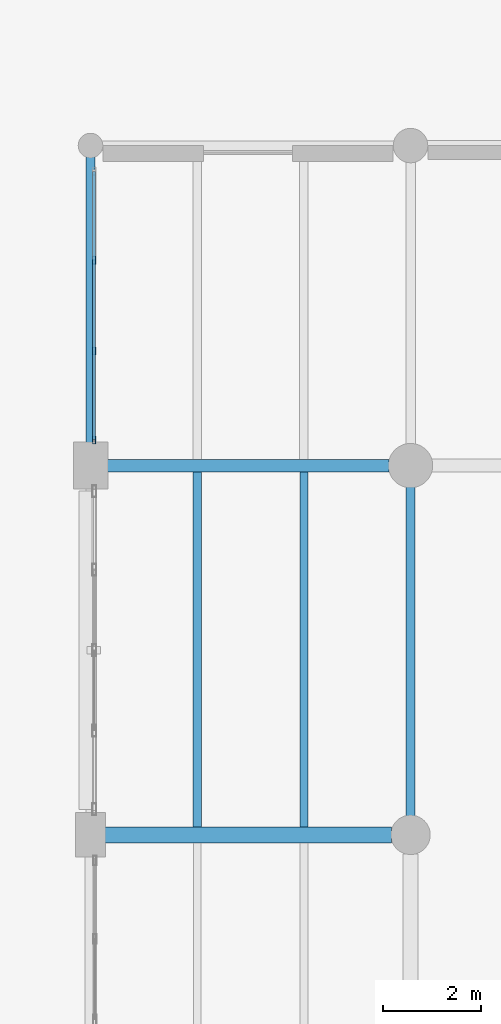
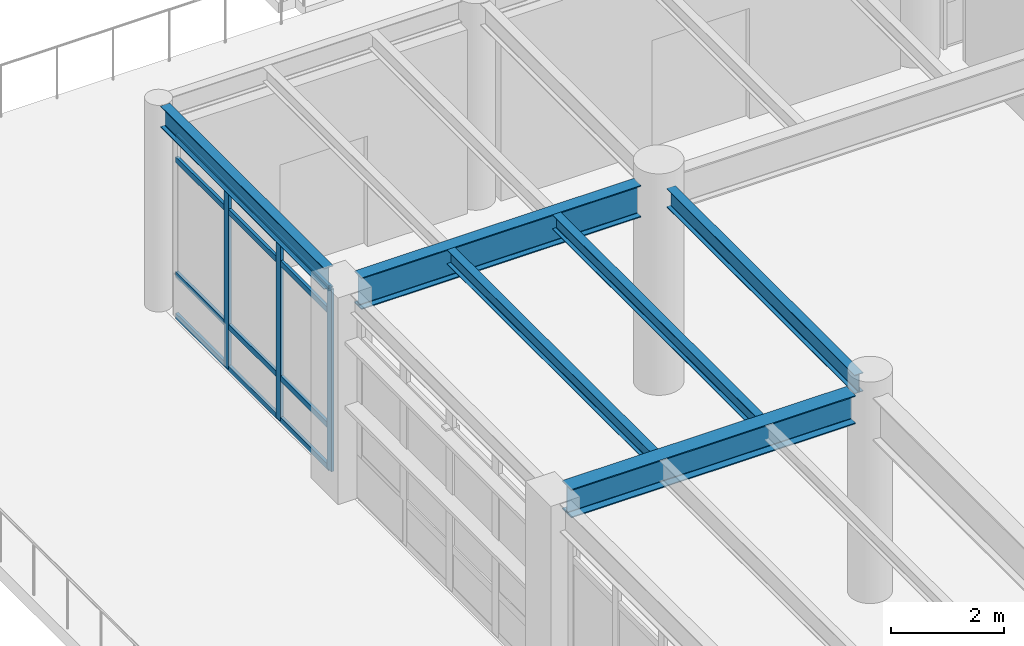
# One storey, part 41 of 200: 7 members, 6 beams, 1 element without a shape of its own.
"""IFC4 building model written with IfcOpenShell, lengths in metres."""

from ifc_helpers import new_model, si_unit, direction, frame, origin, origin_2d, place, context, subcontext, project, spatial, hollow_rectangle, i_section, extrude, material, material_profile, profile_set, type_object, element, aggregate, save


model = new_model("IFC4")

# Units and contexts
model_context = context("Model", 3, precision=1e-05, world=origin(), true_north=direction((0.0, 1.0)))
body_context = subcontext(model_context, "Body", "Model", "MODEL_VIEW")
ifc_project = project(units=[si_unit("LENGTHUNIT", "METRE"), si_unit("AREAUNIT", "SQUARE_METRE"), si_unit("VOLUMEUNIT", "CUBIC_METRE"), si_unit("PLANEANGLEUNIT", "RADIAN"), si_unit("MASSUNIT", "GRAM", prefix="KILO"), si_unit("THERMODYNAMICTEMPERATUREUNIT", "KELVIN"), si_unit("POWERUNIT", "WATT")], contexts=[model_context])

# Site, building, storey
site_placement = place(None, origin())
site = spatial("IfcSite", under=ifc_project, at=site_placement, CompositionType="ELEMENT")
building_placement = place(site_placement, origin())
building = spatial("IfcBuilding", under=site, at=building_placement, Name="Tepalcoro Natatorium and Aquatics Centre", CompositionType="ELEMENT")
storey_placement = place(building_placement, frame((0.0, 0.0, 5.39990234375)))
storey = spatial("IfcBuildingStorey", under=building, at=storey_placement, Name="L01", CompositionType="ELEMENT", Elevation=5.39990234375)

# Beams
ifc_material_1 = material(Name="Steel ASTM A992 Grade 50 (Fy 345 MPa)", Category="steel")
ifc_material_profile_1 = material_profile(ifc_material_1, i_section(OverallWidth=0.177978515625, OverallDepth=0.406005859375, WebThickness=0.008056640625, FlangeThickness=0.012939453125, FilletRadius=0.013916015625, at=origin_2d()), Name="W16X40")
ifc_profile_set_1 = profile_set([ifc_material_profile_1], Name="Steel ASTM A992 Grade 50 (Fy 345 MPa)")
beam_type_1 = type_object("IfcBeamType", Name="BM_W16x40", PredefinedType="BEAM", material=ifc_profile_set_1)
beam_1_placement = place(storey_placement, frame((53.0, 51.885009765625, 4.26220703125), z_axis=(0.0, 1.0, 0.0), x_axis=(-1.0, 0.0, 0.0)))
element("IfcBeam", 1, at=beam_1_placement, inside=storey, type_object=beam_type_1, Name="V1 L01 Grid Girder Y", PredefinedType="BEAM", context=body_context, shape_type="SweptSolid", body=[
    extrude(i_section(OverallWidth=0.177978515625, OverallDepth=0.406005859375, WebThickness=0.008056640625, FlangeThickness=0.012939453125, FilletRadius=0.013916015625, at=origin_2d()), origin(), (0.0, 0.0, 1.0), 6.679931640625),
])
ifc_material_profile_2 = material_profile(ifc_material_1, i_section(OverallWidth=0.324951171875, OverallDepth=0.616943359375, WebThickness=0.013916015625, FlangeThickness=0.02197265625, FilletRadius=0.013916015625, at=origin_2d()), Name="W24X117")
ifc_profile_set_2 = profile_set([ifc_material_profile_2], Name="Steel ASTM A992 Grade 50 (Fy 345 MPa)")
beam_type_2 = type_object("IfcBeamType", Name="BM_W24x117", PredefinedType="BEAM", material=ifc_profile_set_2)
beam_2_placement = place(storey_placement, frame((46.784912109375, 51.5, 4.156494140625), z_axis=(1.0, 0.0, 0.0), x_axis=(0.0, 1.0, 0.0)))
element("IfcBeam", 2, at=beam_2_placement, inside=storey, type_object=beam_type_2, Name="V1 L01 Grid Girder X", PredefinedType="BEAM", context=body_context, shape_type="SweptSolid", body=[
    extrude(i_section(OverallWidth=0.324951171875, OverallDepth=0.616943359375, WebThickness=0.013916015625, FlangeThickness=0.02197265625, FilletRadius=0.013916015625, at=origin_2d()), origin(), (0.0, 0.0, 1.0), 5.830078125),
])
ifc_material_profile_3 = material_profile(ifc_material_1, i_section(OverallWidth=0.25390625, OverallDepth=0.68798828125, WebThickness=0.012939453125, FlangeThickness=0.02099609375, FilletRadius=0.013916015625, at=origin_2d()), Name="W27X102")
ifc_profile_set_3 = profile_set([ifc_material_profile_3], Name="Steel ASTM A992 Grade 50 (Fy 345 MPa)")
beam_type_3 = type_object("IfcBeamType", Name="BM_W27x102", PredefinedType="BEAM", material=ifc_profile_set_3)
beam_3_placement = place(storey_placement, frame((46.8349609375, 59.0, 4.12109375), z_axis=(1.0, 0.0, 0.0), x_axis=(0.0, 1.0, 0.0)))
element("IfcBeam", 3, at=beam_3_placement, inside=storey, type_object=beam_type_3, Name="V1 L01 Grid Girder X", PredefinedType="BEAM", context=body_context, shape_type="SweptSolid", body=[
    extrude(i_section(OverallWidth=0.25390625, OverallDepth=0.68798828125, WebThickness=0.012939453125, FlangeThickness=0.02099609375, FilletRadius=0.013916015625, at=origin_2d()), origin(), (0.0, 0.0, 1.0), 5.72998046875),
])

# Curtain wall, members
ifc_material_2 = material(Name="Bronze-Anodised Extruded Aluminium Alloy EN AW-6063 T6", Category="aluminium")
curtain_wall_type = type_object("IfcCurtainWallType", Name="CW_V3_FOYER", PredefinedType="USERDEFINED", material=ifc_material_2)
curtain_wall_placement = place(storey_placement, origin())
curtain_wall = element("IfcCurtainWall", 4, at=curtain_wall_placement, inside=storey, type_object=curtain_wall_type, Name="V1 L01 W Unitised Curtain Wall Bay 8", ObjectType="UNITISED STOREFRONT", PredefinedType="USERDEFINED")
ifc_material_profile_4 = material_profile(ifc_material_2, hollow_rectangle(XDim=0.06005859375, YDim=0.159912109375, WallThickness=0.00390625, at=origin_2d()), Name="AL60X160X4")
ifc_profile_set_4 = profile_set([ifc_material_profile_4], Name="Bronze-Anodised Extruded Aluminium Alloy EN AW-6063 T6")
member_type_1 = type_object("IfcMemberType", Name="CW_MUL_60x160", PredefinedType="MULLION", material=ifc_profile_set_4)
member_1_placement = place(storey_placement, frame((46.5712890625, 59.52001953125, 0.02001953125), z_axis=(0.0, 0.0, 1.0), x_axis=(1.0, 0.0, 0.0)))
member_1 = element("IfcMember", 5, at=member_1_placement, type_object=member_type_1, Name="CW_V3_FOYER Curtain Wall Mullion", PredefinedType="MULLION", context=body_context, shape_type="SweptSolid", body=[
    extrude(hollow_rectangle(XDim=0.06005859375, YDim=0.159912109375, WallThickness=0.00390625, at=origin_2d()), origin(), (0.0, 0.0, 1.0), 3.9501953125),
])
member_2_placement = place(storey_placement, frame((46.5712890625, 61.32666015625, 0.02001953125), z_axis=(0.0, 0.0, 1.0), x_axis=(1.0, 0.0, 0.0)))
member_2 = element("IfcMember", 6, at=member_2_placement, type_object=member_type_1, Name="CW_V3_FOYER Curtain Wall Mullion", PredefinedType="MULLION", context=body_context, shape_type="SweptSolid", body=[
    extrude(hollow_rectangle(XDim=0.06005859375, YDim=0.159912109375, WallThickness=0.00390625, at=origin_2d()), origin(), (0.0, 0.0, 1.0), 3.9501953125),
])
member_3_placement = place(storey_placement, frame((46.5712890625, 63.17333984375, 0.02001953125), z_axis=(0.0, 0.0, 1.0), x_axis=(1.0, 0.0, 0.0)))
member_3 = element("IfcMember", 7, at=member_3_placement, type_object=member_type_1, Name="CW_V3_FOYER Curtain Wall Mullion", PredefinedType="MULLION", context=body_context, shape_type="SweptSolid", body=[
    extrude(hollow_rectangle(XDim=0.06005859375, YDim=0.159912109375, WallThickness=0.00390625, at=origin_2d()), origin(), (0.0, 0.0, 1.0), 3.9501953125),
])
ifc_material_profile_5 = material_profile(ifc_material_2, hollow_rectangle(XDim=0.06005859375, YDim=0.1201171875, WallThickness=0.00390625, at=origin_2d()), Name="AL60X120X4")
ifc_profile_set_5 = profile_set([ifc_material_profile_5], Name="Bronze-Anodised Extruded Aluminium Alloy EN AW-6063 T6")
member_type_2 = type_object("IfcMemberType", Name="CW_TRN_60x120", PredefinedType="USERDEFINED", material=ifc_profile_set_5)
member_4_placement = place(storey_placement, frame((46.5712890625, 59.530029296875, 0.050048828125), z_axis=(0.0, 1.0, 0.0), x_axis=(-1.0, 0.0, 0.0)))
member_4 = element("IfcMember", 8, at=member_4_placement, type_object=member_type_2, Name="CW_V3_FOYER Curtain Wall Transom", ObjectType="TRANSOM", PredefinedType="USERDEFINED", context=body_context, shape_type="SweptSolid", body=[
    extrude(hollow_rectangle(XDim=0.06005859375, YDim=0.1201171875, WallThickness=0.00390625, at=origin_2d()), origin(), (0.0, 0.0, 1.0), 5.43994140625),
])
member_5_placement = place(storey_placement, frame((46.5712890625, 59.530029296875, 0.9501953125), z_axis=(0.0, 1.0, 0.0), x_axis=(-1.0, 0.0, 0.0)))
member_5 = element("IfcMember", 9, at=member_5_placement, type_object=member_type_2, Name="CW_V3_FOYER Curtain Wall Transom", ObjectType="TRANSOM", PredefinedType="USERDEFINED", context=body_context, shape_type="SweptSolid", body=[
    extrude(hollow_rectangle(XDim=0.06005859375, YDim=0.1201171875, WallThickness=0.00390625, at=origin_2d()), origin(), (0.0, 0.0, 1.0), 5.43994140625),
])
member_6_placement = place(storey_placement, frame((46.5712890625, 59.530029296875, 3.440185546875), z_axis=(0.0, 1.0, 0.0), x_axis=(-1.0, 0.0, 0.0)))
member_6 = element("IfcMember", 10, at=member_6_placement, type_object=member_type_2, Name="CW_V3_FOYER Curtain Wall Transom", ObjectType="TRANSOM", PredefinedType="USERDEFINED", context=body_context, shape_type="SweptSolid", body=[
    extrude(hollow_rectangle(XDim=0.06005859375, YDim=0.1201171875, WallThickness=0.00390625, at=origin_2d()), origin(), (0.0, 0.0, 1.0), 5.43994140625),
])
member_7_placement = place(storey_placement, frame((46.5712890625, 59.530029296875, 3.940185546875), z_axis=(0.0, 1.0, 0.0), x_axis=(-1.0, 0.0, 0.0)))
member_7 = element("IfcMember", 11, at=member_7_placement, type_object=member_type_2, Name="CW_V3_FOYER Curtain Wall Transom", ObjectType="TRANSOM", PredefinedType="USERDEFINED", context=body_context, shape_type="SweptSolid", body=[
    extrude(hollow_rectangle(XDim=0.06005859375, YDim=0.1201171875, WallThickness=0.00390625, at=origin_2d()), origin(), (0.0, 0.0, 1.0), 5.43994140625),
])
aggregate(curtain_wall, [member_1, member_2, member_3, member_4, member_5, member_6, member_7])

# Beams
ifc_material_profile_6 = material_profile(ifc_material_1, i_section(OverallWidth=0.1650390625, OverallDepth=0.31005859375, WebThickness=0.006103515625, FlangeThickness=0.010009765625, FilletRadius=0.013916015625, at=origin_2d()), Name="W12X26")
ifc_profile_set_6 = profile_set([ifc_material_profile_6], Name="Steel ASTM A992 Grade 50 (Fy 345 MPa)")
beam_type_4 = type_object("IfcBeamType", Name="JS_W12x26", PredefinedType="JOIST", material=ifc_profile_set_6)
beam_4_placement = place(storey_placement, frame((48.666748046875, 51.66259765625, 4.31005859375), z_axis=(0.0, 1.0, 0.0), x_axis=(-1.0, 0.0, 0.0)))
element("IfcBeam", 12, at=beam_4_placement, inside=storey, type_object=beam_type_4, Name="V1 L01 Floor Joist", PredefinedType="JOIST", context=body_context, shape_type="SweptSolid", body=[
    extrude(i_section(OverallWidth=0.1650390625, OverallDepth=0.31005859375, WebThickness=0.006103515625, FlangeThickness=0.010009765625, FilletRadius=0.013916015625, at=origin_2d()), origin(), (0.0, 0.0, 1.0), 7.21044921875),
])
ifc_material_profile_7 = material_profile(ifc_material_1, i_section(OverallWidth=0.1669921875, OverallDepth=0.318115234375, WebThickness=0.008056640625, FlangeThickness=0.012939453125, FilletRadius=0.013916015625, at=origin_2d()), Name="W12X35")
ifc_profile_set_7 = profile_set([ifc_material_profile_7], Name="Steel ASTM A992 Grade 50 (Fy 345 MPa)")
beam_type_5 = type_object("IfcBeamType", Name="JS_W12x35", PredefinedType="JOIST", material=ifc_profile_set_7)
beam_5_placement = place(storey_placement, frame((50.833251953125, 51.66259765625, 4.30615234375), z_axis=(0.0, 1.0, 0.0), x_axis=(-1.0, 0.0, 0.0)))
element("IfcBeam", 13, at=beam_5_placement, inside=storey, type_object=beam_type_5, Name="V1 L01 Floor Joist", PredefinedType="JOIST", context=body_context, shape_type="SweptSolid", body=[
    extrude(i_section(OverallWidth=0.1669921875, OverallDepth=0.318115234375, WebThickness=0.008056640625, FlangeThickness=0.012939453125, FilletRadius=0.013916015625, at=origin_2d()), origin(), (0.0, 0.0, 1.0), 7.21044921875),
])
ifc_material_profile_8 = material_profile(ifc_material_1, i_section(OverallWidth=0.19091796875, OverallDepth=0.4599609375, WebThickness=0.010009765625, FlangeThickness=0.01611328125, FilletRadius=0.013916015625, at=origin_2d()), Name="W18X55")
ifc_profile_set_8 = profile_set([ifc_material_profile_8], Name="Steel ASTM A992 Grade 50 (Fy 345 MPa)")
beam_type_6 = type_object("IfcBeamType", Name="SP_W18x55", PredefinedType="SPANDREL", material=ifc_profile_set_8)
beam_6_placement = place(storey_placement, frame((46.5, 59.4599609375, 4.235107421875), z_axis=(0.0, 1.0, 0.0), x_axis=(-1.0, 0.0, 0.0)))
element("IfcBeam", 14, at=beam_6_placement, inside=storey, type_object=beam_type_6, Name="V1 L01 Grid Girder Y", PredefinedType="SPANDREL", context=body_context, shape_type="SweptSolid", body=[
    extrude(i_section(OverallWidth=0.19091796875, OverallDepth=0.4599609375, WebThickness=0.010009765625, FlangeThickness=0.01611328125, FilletRadius=0.013916015625, at=origin_2d()), origin(), (0.0, 0.0, 1.0), 5.804931640625),
])

save(model, "model.ifc")
